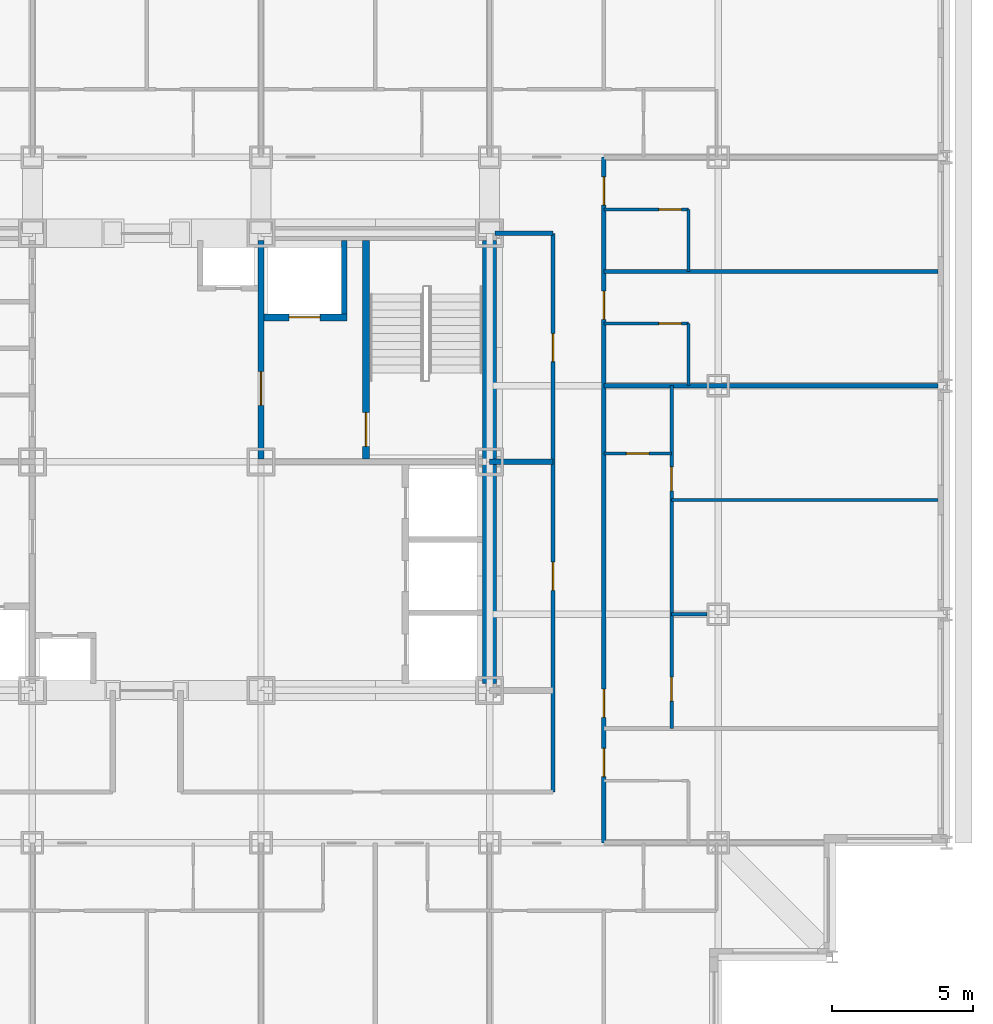
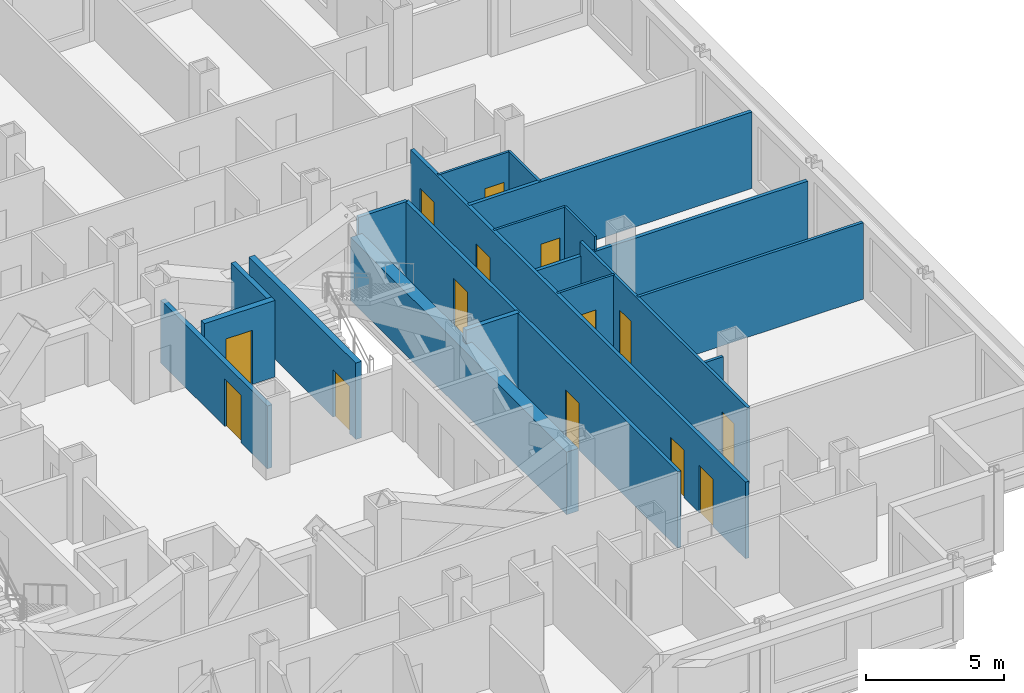
# One storey, part 8 of 12: 19 walls, 14 doors, 14 openings.
"""IFC4 building model written with IfcOpenShell, lengths in metres."""

from ifc_helpers import new_model, si_unit, direction, frame, frame_2d, origin, place, context, subcontext, project, spatial, rectangle, extrude, material, layer, layer_set, type_object, element, fill, save


model = new_model("IFC4")

# Units and contexts
model_context = context("Model", 3, precision=1e-05, world=origin(), true_north=direction((0.0, 1.0)))
body_context = subcontext(model_context, "Body", "Model", "MODEL_VIEW")
ifc_project = project(units=[si_unit("LENGTHUNIT", "METRE"), si_unit("AREAUNIT", "SQUARE_METRE"), si_unit("VOLUMEUNIT", "CUBIC_METRE"), si_unit("PLANEANGLEUNIT", "RADIAN"), si_unit("MASSUNIT", "GRAM", prefix="KILO")], contexts=[model_context])

# Site, building, storey
site_placement = place(None, origin())
site = spatial("IfcSite", under=ifc_project, at=site_placement, CompositionType="ELEMENT")
building_placement = place(site_placement, origin())
building = spatial("IfcBuilding", under=site, at=building_placement, Name="Kopane Lantern Tower", CompositionType="ELEMENT")
storey_placement = place(building_placement, frame((0.0, 0.0, 174.0)))
storey = spatial("IfcBuildingStorey", under=building, at=storey_placement, Name="L44", CompositionType="ELEMENT", Elevation=174.0)

# Wall, openings, doors
ifc_material_1 = material(Name="Gypsum board on steel studs", Category="steel")
ifc_layer_1 = layer(ifc_material_1, 0.1201171875)
ifc_layer_set_1 = layer_set([ifc_layer_1], Name="APARTMENT INTERNAL WALL 120")
wall_type_1 = type_object("IfcWallType", Name="APARTMENT INTERNAL WALL 120", PredefinedType="PARTITIONING", material=ifc_layer_set_1)
wall_1_placement = place(storey_placement, frame((46.949951171875, 22.949951171875, 0.0), z_axis=(0.0, 0.0, 1.0), x_axis=(0.0, 1.0, 0.0)))
wall_1 = element("IfcWall", 1, at=wall_1_placement, inside=storey, type_object=wall_type_1, Name="Apartment Internal Wall 120 L44", PredefinedType="PARTITIONING", context=body_context, shape_type="SweptSolid", body=[
    extrude(rectangle(XDim=12.150146484375, YDim=0.1201171875, at=frame_2d((6.0751953125, 0.0))), origin(), (0.0, 0.0, 1.0), 3.389892578125),
])
opening_1_placement = place(wall_1_placement, frame((0.97509765625, 0.0, 0.0)))
opening_1 = element("IfcOpeningElement", 2, at=opening_1_placement, cuts=wall_1, Name="Opening L44-048", PredefinedType="OPENING", context=body_context, shape_type="SweptSolid", body=[
    extrude(rectangle(XDim=0.85009765625, YDim=2.10009765625, at=frame_2d((0.425048828125, 1.050048828125))), frame((0.0, 0.070068359375, 0.0), z_axis=(0.0, -1.0, 0.0), x_axis=(1.0, 0.0, 0.0)), (0.0, 0.0, 1.0), 0.14013671875),
])
opening_2_placement = place(wall_1_placement, frame((8.425048828125, 0.0, 0.0)))
opening_2 = element("IfcOpeningElement", 3, at=opening_2_placement, cuts=wall_1, Name="Opening L44-049", PredefinedType="OPENING", context=body_context, shape_type="SweptSolid", body=[
    extrude(rectangle(XDim=0.85009765625, YDim=2.10009765625, at=frame_2d((0.425048828125, 1.050048828125))), frame((0.0, 0.070068359375, 0.0), z_axis=(0.0, -1.0, 0.0), x_axis=(1.0, 0.0, 0.0)), (0.0, 0.0, 1.0), 0.14013671875),
])
ifc_material_2 = material(Name="Timber door set", Category="wood")
door_type_1 = type_object("IfcDoorType", Name="DOOR D4 850x2100", OperationType="SINGLE_SWING_LEFT", PredefinedType="DOOR", material=ifc_material_2)
door_1_placement = place(opening_1_placement, origin())
door_1 = element("IfcDoor", 4, at=door_1_placement, inside=storey, type_object=door_type_1, Name="Door L44-048", OperationType="SINGLE_SWING_LEFT", OverallHeight=2.10009765625, OverallWidth=0.85009765625, PredefinedType="DOOR", context=body_context, shape_type="SweptSolid", body=[
    extrude(rectangle(XDim=0.85009765625, YDim=2.10009765625, at=frame_2d((0.425048828125, 1.050048828125))), frame((0.0, 0.02490234375, 0.0), z_axis=(0.0, -1.0, 0.0), x_axis=(1.0, 0.0, 0.0)), (0.0, 0.0, 1.0), 0.050048828125),
])
fill(opening_1, door_1)
door_2_placement = place(opening_2_placement, origin())
door_2 = element("IfcDoor", 5, at=door_2_placement, inside=storey, type_object=door_type_1, Name="Door L44-049", OperationType="SINGLE_SWING_RIGHT", OverallHeight=2.10009765625, OverallWidth=0.85009765625, PredefinedType="DOOR", context=body_context, shape_type="SweptSolid", body=[
    extrude(rectangle(XDim=0.85009765625, YDim=2.10009765625, at=frame_2d((0.425048828125, 1.050048828125))), frame((0.0, 0.02490234375, 0.0), z_axis=(0.0, -1.0, 0.0), x_axis=(1.0, 0.0, 0.0)), (0.0, 0.0, 1.0), 0.050048828125),
])
fill(opening_2, door_2)

# Walls
wall_2_placement = place(storey_placement, frame((46.949951171875, 31.050048828125, 0.0), z_axis=(0.0, 0.0, 1.0), x_axis=(1.0, 0.0, 0.0)))
element("IfcWall", 6, at=wall_2_placement, inside=storey, type_object=wall_type_1, Name="Apartment Internal Wall 120 L44", PredefinedType="PARTITIONING", context=body_context, shape_type="SweptSolid", body=[
    extrude(rectangle(XDim=9.449951171875, YDim=0.1201171875, at=frame_2d((4.72509765625, 0.0))), origin(), (0.0, 0.0, 1.0), 3.389892578125),
])
wall_3_placement = place(storey_placement, frame((46.949951171875, 27.0, 0.0), z_axis=(0.0, 0.0, 1.0), x_axis=(1.0, 0.0, 0.0)))
element("IfcWall", 7, at=wall_3_placement, inside=storey, type_object=wall_type_1, Name="Apartment Internal Wall 120 L44", PredefinedType="PARTITIONING", context=body_context, shape_type="SweptSolid", body=[
    extrude(rectangle(XDim=1.25, YDim=0.1201171875, at=frame_2d((0.625, 0.0))), origin(), (0.0, 0.0, 1.0), 2.77783203125),
])

# Wall, opening, door
ifc_material_3 = material(Name="Moisture-resistant board on steel studs", Category="steel")
ifc_layer_2 = layer(ifc_material_3, 0.10009765625)
ifc_layer_set_2 = layer_set([ifc_layer_2], Name="BATHROOM WALL 100")
wall_type_2 = type_object("IfcWallType", Name="BATHROOM WALL 100", PredefinedType="PARTITIONING", material=ifc_layer_set_2)
wall_4_placement = place(storey_placement, frame((44.550048828125, 32.699951171875, 0.0), z_axis=(0.0, 0.0, 1.0), x_axis=(1.0, 0.0, 0.0)))
wall_4 = element("IfcWall", 8, at=wall_4_placement, inside=storey, type_object=wall_type_2, Name="Bathroom Wall 100 L44", PredefinedType="PARTITIONING", context=body_context, shape_type="SweptSolid", body=[
    extrude(rectangle(XDim=2.39990234375, YDim=0.10009765625, at=frame_2d((1.199951171875, 0.0))), origin(), (0.0, 0.0, 1.0), 3.389892578125),
])
opening_3_placement = place(wall_4_placement, frame((0.800048828125, 0.0, 0.0)))
opening_3 = element("IfcOpeningElement", 9, at=opening_3_placement, cuts=wall_4, Name="Opening L44-046", PredefinedType="OPENING", context=body_context, shape_type="SweptSolid", body=[
    extrude(rectangle(XDim=0.800048828125, YDim=2.10009765625, at=frame_2d((0.39990234375, 1.050048828125))), frame((0.0, 0.06005859375, 0.0), z_axis=(0.0, -1.0, 0.0), x_axis=(1.0, 0.0, 0.0)), (0.0, 0.0, 1.0), 0.1201171875),
])
ifc_material_4 = material(Name="Timber door set", Category="wood")
door_type_2 = type_object("IfcDoorType", Name="DOOR D2 800x2100", OperationType="SINGLE_SWING_LEFT", PredefinedType="DOOR", material=ifc_material_4)
door_3_placement = place(opening_3_placement, origin())
door_3 = element("IfcDoor", 10, at=door_3_placement, inside=storey, type_object=door_type_2, Name="Door L44-046", OperationType="SINGLE_SWING_LEFT", OverallHeight=2.10009765625, OverallWidth=0.800048828125, PredefinedType="DOOR", context=body_context, shape_type="SweptSolid", body=[
    extrude(rectangle(XDim=0.800048828125, YDim=2.10009765625, at=frame_2d((0.39990234375, 1.050048828125))), frame((0.0, 0.02490234375, 0.0), z_axis=(0.0, -1.0, 0.0), x_axis=(1.0, 0.0, 0.0)), (0.0, 0.0, 1.0), 0.050048828125),
])
fill(opening_3, door_3)

# Wall
wall_5_placement = place(storey_placement, frame((47.550048828125, 35.10009765625, 0.0), z_axis=(0.0, 0.0, 1.0), x_axis=(0.0, 1.0, 0.0)))
element("IfcWall", 11, at=wall_5_placement, inside=storey, type_object=wall_type_2, Name="Bathroom Wall 100 L44", PredefinedType="PARTITIONING", context=body_context, shape_type="SweptSolid", body=[
    extrude(rectangle(XDim=2.199951171875, YDim=0.10009765625, at=frame_2d((1.10009765625, 0.0))), origin(), (0.0, 0.0, 1.0), 3.389892578125),
])

# Wall, opening, door
wall_6_placement = place(storey_placement, frame((44.550048828125, 37.300048828125, 0.0), z_axis=(0.0, 0.0, 1.0), x_axis=(1.0, 0.0, 0.0)))
wall_6 = element("IfcWall", 12, at=wall_6_placement, inside=storey, type_object=wall_type_2, Name="Bathroom Wall 100 L44", PredefinedType="PARTITIONING", context=body_context, shape_type="SweptSolid", body=[
    extrude(rectangle(XDim=3.0, YDim=0.10009765625, at=frame_2d((1.5, 0.0))), origin(), (0.0, 0.0, 1.0), 3.389892578125),
])
opening_4_placement = place(wall_6_placement, frame((1.949951171875, 0.0, 0.0)))
opening_4 = element("IfcOpeningElement", 13, at=opening_4_placement, cuts=wall_6, Name="Opening L44-050", PredefinedType="OPENING", context=body_context, shape_type="SweptSolid", body=[
    extrude(rectangle(XDim=0.800048828125, YDim=2.10009765625, at=frame_2d((0.39990234375, 1.050048828125))), frame((0.0, 0.06005859375, 0.0), z_axis=(0.0, -1.0, 0.0), x_axis=(1.0, 0.0, 0.0)), (0.0, 0.0, 1.0), 0.1201171875),
])
door_4_placement = place(opening_4_placement, origin())
door_4 = element("IfcDoor", 14, at=door_4_placement, inside=storey, type_object=door_type_2, Name="Door L44-050", OperationType="SINGLE_SWING_LEFT", OverallHeight=2.10009765625, OverallWidth=0.800048828125, PredefinedType="DOOR", context=body_context, shape_type="SweptSolid", body=[
    extrude(rectangle(XDim=0.800048828125, YDim=2.10009765625, at=frame_2d((0.39990234375, 1.050048828125))), frame((0.0, 0.02490234375, 0.0), z_axis=(0.0, -1.0, 0.0), x_axis=(1.0, 0.0, 0.0)), (0.0, 0.0, 1.0), 0.050048828125),
])
fill(opening_4, door_4)

# Wall
wall_7_placement = place(storey_placement, frame((47.550048828125, 39.14990234375, 0.0), z_axis=(0.0, 0.0, 1.0), x_axis=(0.0, 1.0, 0.0)))
element("IfcWall", 15, at=wall_7_placement, inside=storey, type_object=wall_type_2, Name="Bathroom Wall 100 L44", PredefinedType="PARTITIONING", context=body_context, shape_type="SweptSolid", body=[
    extrude(rectangle(XDim=2.2001953125, YDim=0.10009765625, at=frame_2d((1.10009765625, 0.0))), origin(), (0.0, 0.0, 1.0), 3.389892578125),
])

# Wall, opening, door
wall_8_placement = place(storey_placement, frame((44.550048828125, 41.35009765625, 0.0), z_axis=(0.0, 0.0, 1.0), x_axis=(1.0, 0.0, 0.0)))
wall_8 = element("IfcWall", 16, at=wall_8_placement, inside=storey, type_object=wall_type_2, Name="Bathroom Wall 100 L44", PredefinedType="PARTITIONING", context=body_context, shape_type="SweptSolid", body=[
    extrude(rectangle(XDim=3.0, YDim=0.10009765625, at=frame_2d((1.5, 0.0))), origin(), (0.0, 0.0, 1.0), 3.389892578125),
])
opening_5_placement = place(wall_8_placement, frame((1.949951171875, 0.0, 0.0)))
opening_5 = element("IfcOpeningElement", 17, at=opening_5_placement, cuts=wall_8, Name="Opening L44-052", PredefinedType="OPENING", context=body_context, shape_type="SweptSolid", body=[
    extrude(rectangle(XDim=0.800048828125, YDim=2.10009765625, at=frame_2d((0.39990234375, 1.050048828125))), frame((0.0, 0.06005859375, 0.0), z_axis=(0.0, -1.0, 0.0), x_axis=(1.0, 0.0, 0.0)), (0.0, 0.0, 1.0), 0.1201171875),
])
door_5_placement = place(opening_5_placement, origin())
door_5 = element("IfcDoor", 18, at=door_5_placement, inside=storey, type_object=door_type_2, Name="Door L44-052", OperationType="SINGLE_SWING_LEFT", OverallHeight=2.10009765625, OverallWidth=0.800048828125, PredefinedType="DOOR", context=body_context, shape_type="SweptSolid", body=[
    extrude(rectangle(XDim=0.800048828125, YDim=2.10009765625, at=frame_2d((0.39990234375, 1.050048828125))), frame((0.0, 0.02490234375, 0.0), z_axis=(0.0, -1.0, 0.0), x_axis=(1.0, 0.0, 0.0)), (0.0, 0.0, 1.0), 0.050048828125),
])
fill(opening_5, door_5)

# Wall
ifc_material_5 = material(Name="Gypsum shaft wall EI 120", Category="gypsum")
ifc_layer_3 = layer(ifc_material_5, 0.5)
ifc_layer_set_3 = layer_set([ifc_layer_3], Name="CORE PERIMETER WALL 500 EI 120")
wall_type_3 = type_object("IfcWallType", Name="CORE PERIMETER WALL 500 EI 120", PredefinedType="SOLIDWALL", material=ifc_layer_set_3)
wall_9_placement = place(storey_placement, frame((40.5, 24.550048828125, 0.0), z_axis=(0.0, 0.0, 1.0), x_axis=(0.0, 1.0, 0.0)))
element("IfcWall", 19, at=wall_9_placement, inside=storey, type_object=wall_type_3, Name="Core shaft wall L44 PE", PredefinedType="SOLIDWALL", context=body_context, shape_type="SweptSolid", body=[
    extrude(rectangle(XDim=15.699951171875, YDim=0.5, at=frame_2d((7.85009765625, 0.0))), origin(), (0.0, 0.0, 1.0), 2.77783203125),
])

# Wall, opening, door
ifc_material_6 = material(Name="Gypsum shaft wall EI 120", Category="gypsum")
ifc_layer_4 = layer(ifc_material_6, 0.25)
ifc_layer_set_4 = layer_set([ifc_layer_4], Name="CORE SHAFT WALL 250 EI 120")
wall_type_4 = type_object("IfcWallType", Name="CORE SHAFT WALL 250 EI 120", PredefinedType="SOLIDWALL", material=ifc_layer_set_4)
wall_10_placement = place(storey_placement, frame((36.125, 32.5, 0.0), z_axis=(0.0, 0.0, 1.0), x_axis=(0.0, 1.0, 0.0)))
wall_10 = element("IfcWall", 20, at=wall_10_placement, inside=storey, type_object=wall_type_4, Name="Core shaft wall L44 XST2", PredefinedType="SOLIDWALL", context=body_context, shape_type="SweptSolid", body=[
    extrude(rectangle(XDim=7.75, YDim=0.25, at=frame_2d((3.875, 0.0))), origin(), (0.0, 0.0, 1.0), 3.389892578125),
])
opening_6_placement = place(wall_10_placement, frame((0.449951171875, 0.0, 0.0)))
opening_6 = element("IfcOpeningElement", 21, at=opening_6_placement, cuts=wall_10, Name="Opening 44.SD2", PredefinedType="OPENING", context=body_context, shape_type="SweptSolid", body=[
    extrude(rectangle(XDim=1.199951171875, YDim=2.10009765625, at=frame_2d((0.60009765625, 1.050048828125))), frame((0.0, 0.135009765625, 0.0), z_axis=(0.0, -1.0, 0.0), x_axis=(1.0, 0.0, 0.0)), (0.0, 0.0, 1.0), 0.27001953125),
])
ifc_material_7 = material(Name="Steel door set", Category="steel")
door_type_3 = type_object("IfcDoorType", Name="STAIR DOOR 1200x2100 FD60S", OperationType="SINGLE_SWING_LEFT", PredefinedType="DOOR", material=ifc_material_7)
door_6_placement = place(opening_6_placement, origin())
door_6 = element("IfcDoor", 22, at=door_6_placement, inside=storey, type_object=door_type_3, Name="Stair door ST2 L44", OperationType="SINGLE_SWING_RIGHT", OverallHeight=2.10009765625, OverallWidth=1.199951171875, PredefinedType="DOOR", context=body_context, shape_type="SweptSolid", body=[
    extrude(rectangle(XDim=1.199951171875, YDim=2.10009765625, at=frame_2d((0.60009765625, 1.050048828125))), frame((0.0, 0.02490234375, 0.0), z_axis=(0.0, -1.0, 0.0), x_axis=(1.0, 0.0, 0.0)), (0.0, 0.0, 1.0), 0.050048828125),
])
fill(opening_6, door_6)

wall_11_placement = place(storey_placement, frame((32.5, 37.52490234375, 0.0), z_axis=(0.0, 0.0, 1.0), x_axis=(1.0, 0.0, 0.0)))
wall_11 = element("IfcWall", 23, at=wall_11_placement, inside=storey, type_object=wall_type_4, Name="Core shaft wall L44 YLF2", PredefinedType="SOLIDWALL", context=body_context, shape_type="SweptSolid", body=[
    extrude(rectangle(XDim=2.949951171875, YDim=0.25, at=frame_2d((1.47509765625, 0.0))), origin(), (0.0, 0.0, 1.0), 3.389892578125),
])
opening_7_placement = place(wall_11_placement, frame((0.89990234375, 0.0, 0.0)))
opening_7 = element("IfcOpeningElement", 24, at=opening_7_placement, cuts=wall_11, Name="Opening 44.LD-LF2", PredefinedType="OPENING", context=body_context, shape_type="SweptSolid", body=[
    extrude(rectangle(XDim=1.10009765625, YDim=2.39990234375, at=frame_2d((0.550048828125, 1.199951171875))), frame((0.0, 0.135009765625, 0.0), z_axis=(0.0, -1.0, 0.0), x_axis=(1.0, 0.0, 0.0)), (0.0, 0.0, 1.0), 0.27001953125),
])
ifc_material_8 = material(Name="Steel door set", Category="steel")
door_type_4 = type_object("IfcDoorType", Name="LIFT LANDING DOOR 1100x2400 FD60", OperationType="DOUBLE_DOOR_SLIDING", PredefinedType="DOOR", material=ifc_material_8)
door_7_placement = place(opening_7_placement, origin())
door_7 = element("IfcDoor", 25, at=door_7_placement, inside=storey, type_object=door_type_4, Name="Landing door LF2 L44", OperationType="DOUBLE_DOOR_SLIDING", OverallHeight=2.39990234375, OverallWidth=1.10009765625, PredefinedType="DOOR", context=body_context, shape_type="SweptSolid", body=[
    extrude(rectangle(XDim=1.10009765625, YDim=2.39990234375, at=frame_2d((0.550048828125, 1.199951171875))), frame((0.0, 0.02490234375, 0.0), z_axis=(0.0, -1.0, 0.0), x_axis=(1.0, 0.0, 0.0)), (0.0, 0.0, 1.0), 0.050048828125),
])
fill(opening_7, door_7)

# Wall, openings, doors
ifc_material_9 = material(Name="Gypsum board on steel studs", Category="steel")
ifc_layer_5 = layer(ifc_material_9, 0.14990234375)
ifc_layer_set_5 = layer_set([ifc_layer_5], Name="CORRIDOR WALL 150 EI 60")
wall_type_5 = type_object("IfcWallType", Name="CORRIDOR WALL 150 EI 60", PredefinedType="PARTITIONING", material=ifc_layer_set_5)
wall_12_placement = place(storey_placement, frame((44.550048828125, 18.89990234375, 0.0), z_axis=(0.0, 0.0, 1.0), x_axis=(0.0, 1.0, 0.0)))
wall_12 = element("IfcWall", 26, at=wall_12_placement, inside=storey, type_object=wall_type_5, Name="Corridor Wall 150 Ei 60 L44", PredefinedType="PARTITIONING", context=body_context, shape_type="SweptSolid", body=[
    extrude(rectangle(XDim=24.300048828125, YDim=0.14990234375, at=frame_2d((12.14990234375, 0.0))), origin(), (0.0, 0.0, 1.0), 3.389892578125),
])
opening_8_placement = place(wall_12_placement, frame((2.35009765625, 0.0, 0.0)))
opening_8 = element("IfcOpeningElement", 27, at=opening_8_placement, cuts=wall_12, Name="Opening L44-045", PredefinedType="OPENING", context=body_context, shape_type="SweptSolid", body=[
    extrude(rectangle(XDim=1.0, YDim=2.10009765625, at=frame_2d((0.5, 1.050048828125))), frame((0.0, 0.0849609375, 0.0), z_axis=(0.0, -1.0, 0.0), x_axis=(1.0, 0.0, 0.0)), (0.0, 0.0, 1.0), 0.169921875),
])
opening_9_placement = place(wall_12_placement, frame((4.449951171875, 0.0, 0.0)))
opening_9 = element("IfcOpeningElement", 28, at=opening_9_placement, cuts=wall_12, Name="Opening L44-047", PredefinedType="OPENING", context=body_context, shape_type="SweptSolid", body=[
    extrude(rectangle(XDim=1.0, YDim=2.10009765625, at=frame_2d((0.5, 1.050048828125))), frame((0.0, 0.0849609375, 0.0), z_axis=(0.0, -1.0, 0.0), x_axis=(1.0, 0.0, 0.0)), (0.0, 0.0, 1.0), 0.169921875),
])
opening_10_placement = place(wall_12_placement, frame((18.550048828125, 0.0, 0.0)))
opening_10 = element("IfcOpeningElement", 29, at=opening_10_placement, cuts=wall_12, Name="Opening L44-051", PredefinedType="OPENING", context=body_context, shape_type="SweptSolid", body=[
    extrude(rectangle(XDim=1.0, YDim=2.10009765625, at=frame_2d((0.5, 1.050048828125))), frame((0.0, 0.0849609375, 0.0), z_axis=(0.0, -1.0, 0.0), x_axis=(1.0, 0.0, 0.0)), (0.0, 0.0, 1.0), 0.169921875),
])
opening_11_placement = place(wall_12_placement, frame((22.60009765625, 0.0, 0.0)))
opening_11 = element("IfcOpeningElement", 30, at=opening_11_placement, cuts=wall_12, Name="Opening L44-053", PredefinedType="OPENING", context=body_context, shape_type="SweptSolid", body=[
    extrude(rectangle(XDim=1.0, YDim=2.10009765625, at=frame_2d((0.5, 1.050048828125))), frame((0.0, 0.0849609375, 0.0), z_axis=(0.0, -1.0, 0.0), x_axis=(1.0, 0.0, 0.0)), (0.0, 0.0, 1.0), 0.169921875),
])
ifc_material_10 = material(Name="Steel door set", Category="steel")
door_type_5 = type_object("IfcDoorType", Name="DOOR D3 1000x2100 FD30S", OperationType="SINGLE_SWING_LEFT", PredefinedType="DOOR", material=ifc_material_10)
door_8_placement = place(opening_8_placement, origin())
door_8 = element("IfcDoor", 31, at=door_8_placement, inside=storey, type_object=door_type_5, Name="Door L44-045", OperationType="SINGLE_SWING_RIGHT", OverallHeight=2.10009765625, OverallWidth=1.0, PredefinedType="DOOR", context=body_context, shape_type="SweptSolid", body=[
    extrude(rectangle(XDim=1.0, YDim=2.10009765625, at=frame_2d((0.5, 1.050048828125))), frame((0.0, 0.02490234375, 0.0), z_axis=(0.0, -1.0, 0.0), x_axis=(1.0, 0.0, 0.0)), (0.0, 0.0, 1.0), 0.050048828125),
])
fill(opening_8, door_8)
door_9_placement = place(opening_9_placement, origin())
door_9 = element("IfcDoor", 32, at=door_9_placement, inside=storey, type_object=door_type_5, Name="Door L44-047", OperationType="SINGLE_SWING_RIGHT", OverallHeight=2.10009765625, OverallWidth=1.0, PredefinedType="DOOR", context=body_context, shape_type="SweptSolid", body=[
    extrude(rectangle(XDim=1.0, YDim=2.10009765625, at=frame_2d((0.5, 1.050048828125))), frame((0.0, 0.02490234375, 0.0), z_axis=(0.0, -1.0, 0.0), x_axis=(1.0, 0.0, 0.0)), (0.0, 0.0, 1.0), 0.050048828125),
])
fill(opening_9, door_9)
door_10_placement = place(opening_10_placement, origin())
door_10 = element("IfcDoor", 33, at=door_10_placement, inside=storey, type_object=door_type_5, Name="Door L44-051", OperationType="SINGLE_SWING_RIGHT", OverallHeight=2.10009765625, OverallWidth=1.0, PredefinedType="DOOR", context=body_context, shape_type="SweptSolid", body=[
    extrude(rectangle(XDim=1.0, YDim=2.10009765625, at=frame_2d((0.5, 1.050048828125))), frame((0.0, 0.02490234375, 0.0), z_axis=(0.0, -1.0, 0.0), x_axis=(1.0, 0.0, 0.0)), (0.0, 0.0, 1.0), 0.050048828125),
])
fill(opening_10, door_10)
door_11_placement = place(opening_11_placement, origin())
door_11 = element("IfcDoor", 34, at=door_11_placement, inside=storey, type_object=door_type_5, Name="Door L44-053", OperationType="SINGLE_SWING_RIGHT", OverallHeight=2.10009765625, OverallWidth=1.0, PredefinedType="DOOR", context=body_context, shape_type="SweptSolid", body=[
    extrude(rectangle(XDim=1.0, YDim=2.10009765625, at=frame_2d((0.5, 1.050048828125))), frame((0.0, 0.02490234375, 0.0), z_axis=(0.0, -1.0, 0.0), x_axis=(1.0, 0.0, 0.0)), (0.0, 0.0, 1.0), 0.050048828125),
])
fill(opening_11, door_11)

wall_13_placement = place(storey_placement, frame((42.75, 20.699951171875, 0.0), z_axis=(0.0, 0.0, 1.0), x_axis=(0.0, 1.0, 0.0)))
wall_13 = element("IfcWall", 35, at=wall_13_placement, inside=storey, type_object=wall_type_5, Name="Corridor Wall 150 Ei 60 L44", PredefinedType="PARTITIONING", context=body_context, shape_type="SweptSolid", body=[
    extrude(rectangle(XDim=19.800048828125, YDim=0.14990234375, at=frame_2d((9.89990234375, 0.0))), origin(), (0.0, 0.0, 1.0), 3.389892578125),
])
opening_12_placement = place(wall_13_placement, frame((7.14990234375, 0.0, 0.0)))
opening_12 = element("IfcOpeningElement", 36, at=opening_12_placement, cuts=wall_13, Name="Opening L44-003", PredefinedType="OPENING", context=body_context, shape_type="SweptSolid", body=[
    extrude(rectangle(XDim=1.0, YDim=2.10009765625, at=frame_2d((0.5, 1.050048828125))), frame((0.0, 0.0849609375, 0.0), z_axis=(0.0, -1.0, 0.0), x_axis=(1.0, 0.0, 0.0)), (0.0, 0.0, 1.0), 0.169921875),
])
opening_13_placement = place(wall_13_placement, frame((15.25, 0.0, 0.0)))
opening_13 = element("IfcOpeningElement", 37, at=opening_13_placement, cuts=wall_13, Name="Opening L44-004", PredefinedType="OPENING", context=body_context, shape_type="SweptSolid", body=[
    extrude(rectangle(XDim=1.0, YDim=2.10009765625, at=frame_2d((0.5, 1.050048828125))), frame((0.0, 0.0849609375, 0.0), z_axis=(0.0, -1.0, 0.0), x_axis=(1.0, 0.0, 0.0)), (0.0, 0.0, 1.0), 0.169921875),
])
ifc_material_11 = material(Name="Steel door set", Category="steel")
door_type_6 = type_object("IfcDoorType", Name="DOOR D5 1000x2100 FD60", OperationType="SINGLE_SWING_LEFT", PredefinedType="DOOR", material=ifc_material_11)
door_12_placement = place(opening_12_placement, origin())
door_12 = element("IfcDoor", 38, at=door_12_placement, inside=storey, type_object=door_type_6, Name="Door L44-003", OperationType="SINGLE_SWING_LEFT", OverallHeight=2.10009765625, OverallWidth=1.0, PredefinedType="DOOR", context=body_context, shape_type="SweptSolid", body=[
    extrude(rectangle(XDim=1.0, YDim=2.10009765625, at=frame_2d((0.5, 1.050048828125))), frame((0.0, 0.02490234375, 0.0), z_axis=(0.0, -1.0, 0.0), x_axis=(1.0, 0.0, 0.0)), (0.0, 0.0, 1.0), 0.050048828125),
])
fill(opening_12, door_12)
door_13_placement = place(opening_13_placement, origin())
door_13 = element("IfcDoor", 39, at=door_13_placement, inside=storey, type_object=door_type_6, Name="Door L44-004", OperationType="SINGLE_SWING_RIGHT", OverallHeight=2.10009765625, OverallWidth=1.0, PredefinedType="DOOR", context=body_context, shape_type="SweptSolid", body=[
    extrude(rectangle(XDim=1.0, YDim=2.10009765625, at=frame_2d((0.5, 1.050048828125))), frame((0.0, 0.02490234375, 0.0), z_axis=(0.0, -1.0, 0.0), x_axis=(1.0, 0.0, 0.0)), (0.0, 0.0, 1.0), 0.050048828125),
])
fill(opening_13, door_13)

# Walls
wall_14_placement = place(storey_placement, frame((42.75, 40.5, 0.0), z_axis=(0.0, 0.0, 1.0), x_axis=(-1.0, 0.0, 0.0)))
element("IfcWall", 40, at=wall_14_placement, inside=storey, type_object=wall_type_5, Name="Corridor Wall 150 Ei 60 L44", PredefinedType="PARTITIONING", context=body_context, shape_type="SweptSolid", body=[
    extrude(rectangle(XDim=2.050048828125, YDim=0.14990234375, at=frame_2d((1.02490234375, 0.0))), origin(), (0.0, 0.0, 1.0), 3.389892578125),
])
ifc_material_12 = material(Name="Gypsum board on steel studs", Category="steel")
ifc_layer_6 = layer(ifc_material_12, 0.14990234375)
ifc_layer_set_6 = layer_set([ifc_layer_6], Name="DEMISING WALL 150 EI 60")
wall_type_6 = type_object("IfcWallType", Name="DEMISING WALL 150 EI 60", PredefinedType="PARTITIONING", material=ifc_layer_set_6)
wall_15_placement = place(storey_placement, frame((44.550048828125, 35.10009765625, 0.0), z_axis=(0.0, 0.0, 1.0), x_axis=(1.0, 0.0, 0.0)))
element("IfcWall", 41, at=wall_15_placement, inside=storey, type_object=wall_type_6, Name="Demising Wall 150 Ei 60 L44", PredefinedType="PARTITIONING", context=body_context, shape_type="SweptSolid", body=[
    extrude(rectangle(XDim=11.849853515625, YDim=0.14990234375, at=frame_2d((5.9248046875, 0.0))), origin(), (0.0, 0.0, 1.0), 2.77783203125),
])
wall_16_placement = place(storey_placement, frame((44.550048828125, 39.14990234375, 0.0), z_axis=(0.0, 0.0, 1.0), x_axis=(1.0, 0.0, 0.0)))
element("IfcWall", 42, at=wall_16_placement, inside=storey, type_object=wall_type_6, Name="Demising Wall 150 Ei 60 L44", PredefinedType="PARTITIONING", context=body_context, shape_type="SweptSolid", body=[
    extrude(rectangle(XDim=11.849853515625, YDim=0.14990234375, at=frame_2d((5.9248046875, 0.0))), origin(), (0.0, 0.0, 1.0), 3.389892578125),
])
ifc_material_13 = material(Name="Concrete masonry", Category="masonry")
ifc_layer_7 = layer(ifc_material_13, 0.199951171875)
ifc_layer_set_7 = layer_set([ifc_layer_7], Name="PLANT ROOM WALL 200 EI 120")
wall_type_7 = type_object("IfcWallType", Name="PLANT ROOM WALL 200 EI 120", PredefinedType="SOLIDWALL", material=ifc_layer_set_7)
wall_17_placement = place(storey_placement, frame((40.5, 32.39990234375, 0.0), z_axis=(0.0, 0.0, 1.0), x_axis=(1.0, 0.0, 0.0)))
element("IfcWall", 43, at=wall_17_placement, inside=storey, type_object=wall_type_7, Name="Plant Room Wall 200 Ei 120 L44", PredefinedType="SOLIDWALL", context=body_context, shape_type="SweptSolid", body=[
    extrude(rectangle(XDim=2.25, YDim=0.199951171875, at=frame_2d((1.125, 0.0))), origin(), (0.0, 0.0, 1.0), 3.389892578125),
])

# Wall, opening, door
ifc_material_14 = material(Name="Gypsum shaft wall EI 120", Category="gypsum")
ifc_layer_8 = layer(ifc_material_14, 0.199951171875)
ifc_layer_set_8 = layer_set([ifc_layer_8], Name="SHAFT WALL 200 EI 120")
wall_type_8 = type_object("IfcWallType", Name="SHAFT WALL 200 EI 120", PredefinedType="SOLIDWALL", material=ifc_layer_set_8)
wall_18_placement = place(storey_placement, frame((32.39990234375, 32.5, 0.0), z_axis=(0.0, 0.0, 1.0), x_axis=(0.0, 1.0, 0.0)))
wall_18 = element("IfcWall", 44, at=wall_18_placement, inside=storey, type_object=wall_type_8, Name="Core shaft wall L44 X324", PredefinedType="SOLIDWALL", context=body_context, shape_type="SweptSolid", body=[
    extrude(rectangle(XDim=7.75, YDim=0.199951171875, at=frame_2d((3.875, 0.0))), origin(), (0.0, 0.0, 1.0), 2.77783203125),
])
opening_14_placement = place(wall_18_placement, frame((1.89990234375, 0.0, 0.0)))
opening_14 = element("IfcOpeningElement", 45, at=opening_14_placement, cuts=wall_18, Name="Opening 44.FL2", PredefinedType="OPENING", context=body_context, shape_type="SweptSolid", body=[
    extrude(rectangle(XDim=1.199951171875, YDim=2.10009765625, at=frame_2d((0.60009765625, 1.050048828125))), frame((0.0, 0.10986328125, 0.0), z_axis=(0.0, -1.0, 0.0), x_axis=(1.0, 0.0, 0.0)), (0.0, 0.0, 1.0), 0.219970703125),
])
ifc_material_15 = material(Name="Steel door set", Category="steel")
door_type_7 = type_object("IfcDoorType", Name="FIREFIGHTING LOBBY DOOR 1200x2100 FD60S", OperationType="SINGLE_SWING_RIGHT", PredefinedType="DOOR", material=ifc_material_15)
door_14_placement = place(opening_14_placement, origin())
door_14 = element("IfcDoor", 46, at=door_14_placement, inside=storey, type_object=door_type_7, Name="Firefighting lobby door FL2 L44", OperationType="SINGLE_SWING_LEFT", OverallHeight=2.10009765625, OverallWidth=1.199951171875, PredefinedType="DOOR", context=body_context, shape_type="SweptSolid", body=[
    extrude(rectangle(XDim=1.199951171875, YDim=2.10009765625, at=frame_2d((0.60009765625, 1.050048828125))), frame((0.0, 0.02490234375, 0.0), z_axis=(0.0, -1.0, 0.0), x_axis=(1.0, 0.0, 0.0)), (0.0, 0.0, 1.0), 0.050048828125),
])
fill(opening_14, door_14)

# Wall
wall_19_placement = place(storey_placement, frame((35.35009765625, 37.64990234375, 0.0), z_axis=(0.0, 0.0, 1.0), x_axis=(0.0, 1.0, 0.0)))
element("IfcWall", 47, at=wall_19_placement, inside=storey, type_object=wall_type_8, Name="Core shaft wall L44 XLF2", PredefinedType="SOLIDWALL", context=body_context, shape_type="SweptSolid", body=[
    extrude(rectangle(XDim=2.60009765625, YDim=0.199951171875, at=frame_2d((1.300048828125, 0.0))), origin(), (0.0, 0.0, 1.0), 3.389892578125),
])

save(model, "model.ifc")
